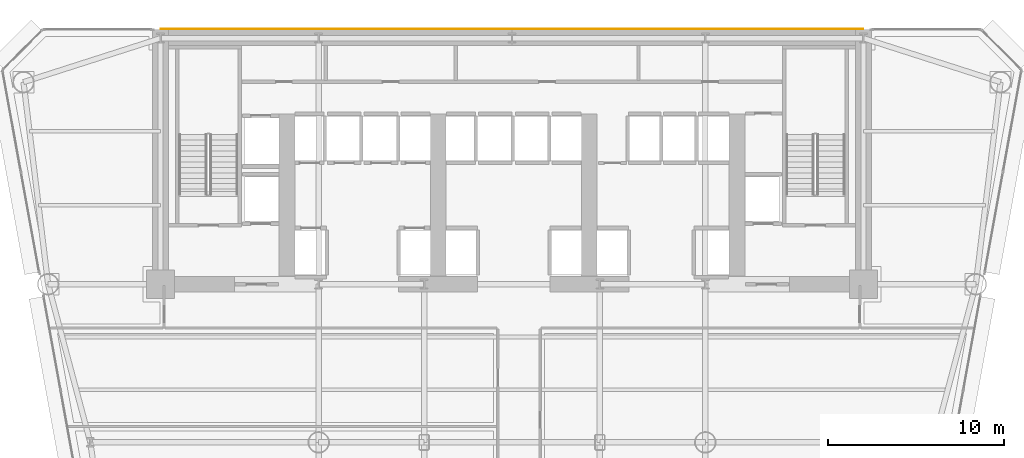
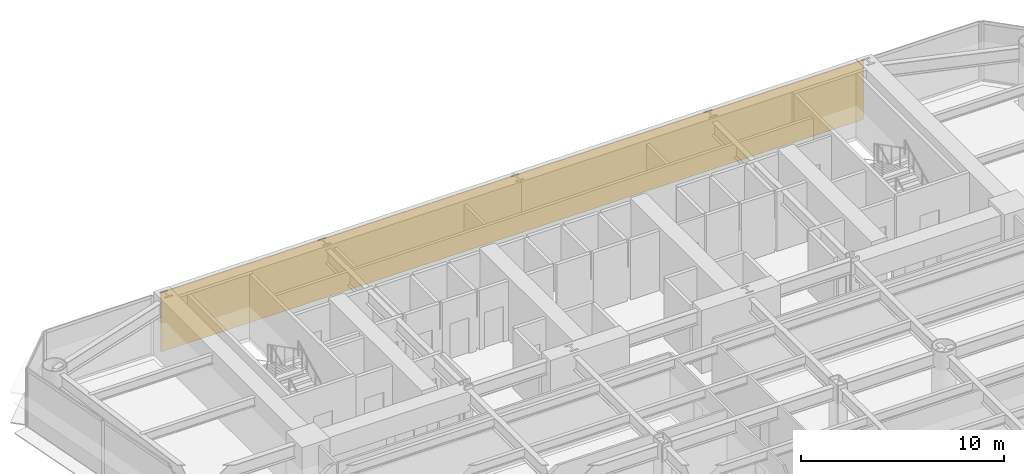
# One storey, part 13 of 14: 1 covering.
"""IFC4 building model written with IfcOpenShell, lengths in metres."""

from ifc_helpers import new_model, si_unit, direction, frame, origin, place, context, subcontext, project, spatial, polyline, outline, extrude, material, layer, layer_set, type_object, element, save


model = new_model("IFC4")

# Units and contexts
model_context = context("Model", 3, precision=1e-05, world=origin(), true_north=direction((0.0, 1.0)))
body_context = subcontext(model_context, "Body", "Model", "MODEL_VIEW")
ifc_project = project(units=[si_unit("LENGTHUNIT", "METRE"), si_unit("AREAUNIT", "SQUARE_METRE"), si_unit("VOLUMEUNIT", "CUBIC_METRE"), si_unit("PLANEANGLEUNIT", "RADIAN"), si_unit("MASSUNIT", "GRAM", prefix="KILO")], contexts=[model_context])

# Site, building, storey
site_placement = place(None, origin())
site = spatial("IfcSite", under=ifc_project, at=site_placement, CompositionType="ELEMENT")
building_placement = place(site_placement, origin())
building = spatial("IfcBuilding", under=site, at=building_placement, Name="Vaeldorn Concourse Tower", CompositionType="ELEMENT")
storey_placement = place(building_placement, frame((0.0, 0.0, 37.800048828125)))
storey = spatial("IfcBuildingStorey", under=building, at=storey_placement, Name="L09", CompositionType="ELEMENT", Elevation=37.800048828125)

# Covering
ifc_material = material(Name="Anodised Bronze Aluminium", Category="aluminium")
ifc_layer = layer(ifc_material, 0.050048828125)
ifc_layer_set = layer_set([ifc_layer], Name="Anodised Bronze Aluminium")
covering_type = type_object("IfcCoveringType", Name="COV-CLAD-BRONZE", PredefinedType="CLADDING", material=ifc_layer_set)
covering_placement = place(storey_placement, origin())
element("IfcCovering", 1, at=covering_placement, inside=storey, type_object=covering_type, Name="Rear Core Bronze Spandrel Cladding L09", PredefinedType="CLADDING", context=body_context, shape_type="SweptSolid", body=[
    extrude(outline(polyline([(14.0, 51.0), (54.0, 51.0), (54.0, 51.050048828125), (14.0, 51.050048828125), (14.0, 51.0)])), origin(), (0.0, 0.0, 1.0), 3.579833984375),
])

save(model, "model.ifc")
